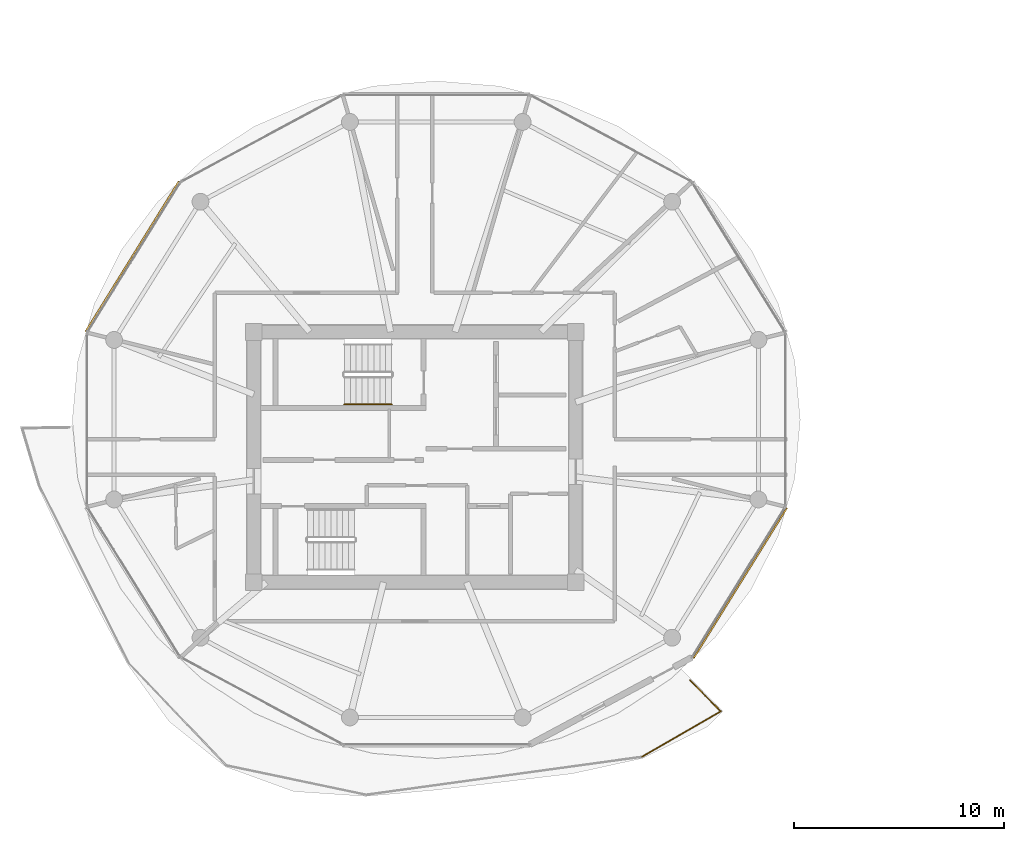
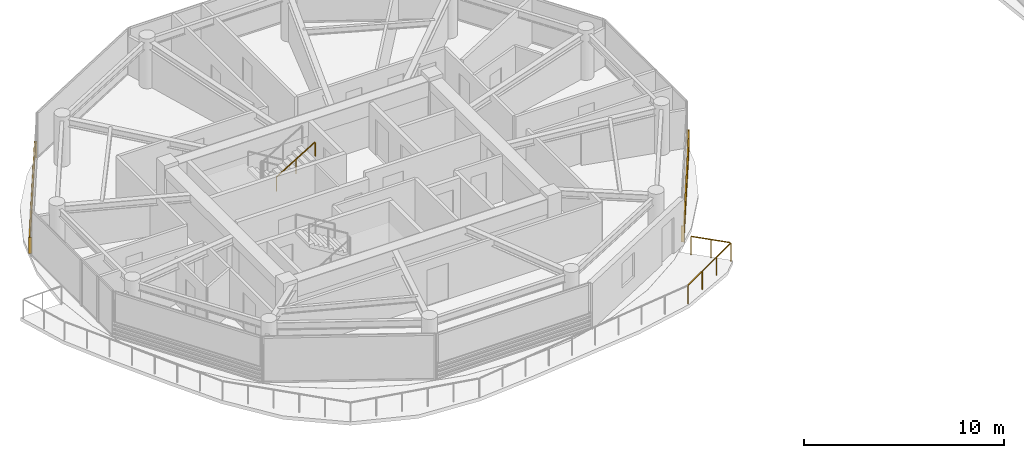
# One storey, part 19 of 23: 2 railings, 2 shading devices.
"""IFC4 building model written with IfcOpenShell, lengths in metres."""

from ifc_helpers import new_model, si_unit, direction, frame, origin, origin_2d, place, context, subcontext, project, spatial, rectangle, extrude, source, transform, mapped, material, type_object, type_shapes, element, save


model = new_model("IFC4")

# Units and contexts
model_context = context("Model", 3, precision=1e-05, world=origin(), true_north=direction((0.0, 1.0)))
body_context = subcontext(model_context, "Body", "Model", "MODEL_VIEW")
ifc_project = project(units=[si_unit("LENGTHUNIT", "METRE"), si_unit("AREAUNIT", "SQUARE_METRE"), si_unit("VOLUMEUNIT", "CUBIC_METRE"), si_unit("PLANEANGLEUNIT", "RADIAN"), si_unit("MASSUNIT", "GRAM", prefix="KILO")], contexts=[model_context])

# Site, building, storey
site_placement = place(None, origin())
site = spatial("IfcSite", under=ifc_project, at=site_placement, CompositionType="ELEMENT")
building_placement = place(site_placement, origin())
building = spatial("IfcBuilding", under=site, at=building_placement, Name="Norrkilde Senior Care Towers", CompositionType="ELEMENT")
storey_placement = place(building_placement, frame((0.0, 0.0, 173.949951171875)))
storey = spatial("IfcBuildingStorey", under=building, at=storey_placement, Name="L54", CompositionType="ELEMENT", Elevation=173.949951171875)

# Railings
ifc_material_1 = material(Name="Anodised Aluminium", Category="aluminium")
railing_type_1 = type_object("IfcRailingType", Name="Balcony Swirl Ribbon Guardrail 1150", PredefinedType="GUARDRAIL", material=ifc_material_1)
railing_1_placement = place(storey_placement, frame((-14.915283203125, -10.60498046875, 0.0)))
element("IfcRailing", 1, at=railing_1_placement, inside=storey, type_object=railing_type_1, Name="L54 Perimeter Safety Guard 04", PredefinedType="GUARDRAIL", context=body_context, shape_type="SweptSolid", body=[
    extrude(rectangle(XDim=0.048095703125, YDim=0.048095703125, at=origin_2d()), frame((0.0, 0.0, 1.1259765625), z_axis=(0.701026381437, -0.71313533956, 0.0), x_axis=(0.71313533956, 0.701026381437, 0.0)), (0.0, 0.0, 1.0), 2.035888671875),
    extrude(rectangle(XDim=0.048095703125, YDim=0.048095703125, at=origin_2d()), frame((1.42041015625, -1.50146484375, 1.1259765625), z_axis=(-0.866258123081, -0.499596701546, 0.0), x_axis=(0.499596701546, -0.866258123081, 0.0)), (0.0, 0.0, 1.0), 4.273193359375),
    extrude(rectangle(XDim=0.0419921875, YDim=0.0419921875, at=origin_2d()), origin(), (0.0, 0.0, 1.0), 1.099853515625),
    extrude(rectangle(XDim=0.0419921875, YDim=0.0419921875, at=origin_2d()), frame((0.72802734375, -0.740478515625, 0.0)), (0.0, 0.0, 1.0), 1.099853515625),
    extrude(rectangle(XDim=0.0419921875, YDim=0.0419921875, at=origin_2d()), frame((1.455810546875, -1.48095703125, 0.0)), (0.0, 0.0, 1.0), 1.099853515625),
    extrude(rectangle(XDim=0.0419921875, YDim=0.0419921875, at=origin_2d()), frame((0.210205078125, -2.199462890625, 0.0)), (0.0, 0.0, 1.0), 1.099853515625),
    extrude(rectangle(XDim=0.0419921875, YDim=0.0419921875, at=origin_2d()), frame((-1.03564453125, -2.917724609375, 0.0)), (0.0, 0.0, 1.0), 1.099853515625),
    extrude(rectangle(XDim=0.0419921875, YDim=0.0419921875, at=origin_2d()), frame((-2.28125, -3.63623046875, 0.0)), (0.0, 0.0, 1.0), 1.099853515625),
])
ifc_material_2 = material(Name="Nordic Ash Timber", Category="wood")
railing_type_2 = type_object("IfcRailingType", Name="Wall and Stair Handrail 900", PredefinedType="HANDRAIL", material=ifc_material_2)
railing_2_placement = place(storey_placement, frame((-31.340087890625, 2.5, 1.694580078125)))
element("IfcRailing", 2, at=railing_2_placement, inside=storey, type_object=railing_type_2, Name="L54 ST-W1 stair handrail 2", PredefinedType="HANDRAIL", context=body_context, shape_type="SweptSolid", body=[
    extrude(rectangle(XDim=0.048095703125, YDim=0.048095703125, at=origin_2d()), frame((0.0, 0.0, 0.8759765625), z_axis=(0.855553338991, 0.0, 0.51771467445), x_axis=(0.0, 1.0, 0.0)), (0.0, 0.0, 1.0), 2.6181640625),
    extrude(rectangle(XDim=0.0419921875, YDim=0.0419921875, at=origin_2d()), origin(), (0.0, 0.0, 1.0), 0.849853515625),
    extrude(rectangle(XDim=0.0419921875, YDim=0.0419921875, at=origin_2d()), frame((1.1201171875, 0.0, 0.677734375)), (0.0, 0.0, 1.0), 0.849853515625),
    extrude(rectangle(XDim=0.0419921875, YDim=0.0419921875, at=origin_2d()), frame((2.239990234375, 0.0, 1.35546875)), (0.0, 0.0, 1.0), 0.849853515625),
])

# Shading devices
ifc_material_3 = material(Name="Architectural Terracotta", Category="masonry")
shading_device_type = type_object("IfcShadingDeviceType", Name="Horizontal Terracotta Baguette Rack", PredefinedType="USERDEFINED", material=ifc_material_3)
shared_shape = source(origin(), body_context, "Body", "SweptSolid", [
    extrude(rectangle(XDim=0.070068359375, YDim=0.110107421875, at=origin_2d()), frame((0.0, 0.090087890625, 0.125), z_axis=(1.0, 0.0, 0.0), x_axis=(0.0, 1.0, 0.0)), (0.0, 0.0, 1.0), 8.431396484375),
    extrude(rectangle(XDim=0.070068359375, YDim=0.110107421875, at=origin_2d()), frame((0.0, 0.090087890625, 0.375), z_axis=(1.0, 0.0, 0.0), x_axis=(0.0, 1.0, 0.0)), (0.0, 0.0, 1.0), 8.431396484375),
    extrude(rectangle(XDim=0.070068359375, YDim=0.110107421875, at=origin_2d()), frame((0.0, 0.090087890625, 0.625), z_axis=(1.0, 0.0, 0.0), x_axis=(0.0, 1.0, 0.0)), (0.0, 0.0, 1.0), 8.431396484375),
    extrude(rectangle(XDim=0.070068359375, YDim=0.110107421875, at=origin_2d()), frame((0.0, 0.090087890625, 0.875), z_axis=(1.0, 0.0, 0.0), x_axis=(0.0, 1.0, 0.0)), (0.0, 0.0, 1.0), 8.431396484375),
    extrude(rectangle(XDim=0.050048828125, YDim=0.1552734375, at=origin_2d()), frame((0.02490234375, 0.047607421875, 0.0)), (0.0, 0.0, 1.0), 1.0),
    extrude(rectangle(XDim=0.050048828125, YDim=0.1552734375, at=origin_2d()), frame((8.40625, 0.047607421875, 0.0)), (0.0, 0.0, 1.0), 1.0),
])
type_shapes(shading_device_type, [shared_shape])
for number, where, z_axis, x_axis, name in (
    (3, (-43.569580078125, 5.911376953125, 0.080078125), (0.0, 0.0, 1.0), (0.527378022296, 0.849630809324, 0.0), "L54 Drum W Terracotta Baguette Screen 04"),
    (4, (-10.38037109375, -2.360595703125, 0.080078125), (0.0, 0.0, 1.0), (-0.527378022296, -0.849630809324, 0.0), "L54 Drum W Terracotta Baguette Screen 10"),
):
    element("IfcShadingDevice", number, at=place(storey_placement, frame(where, z_axis=z_axis, x_axis=x_axis)), inside=storey, type_object=shading_device_type, Name=name, ObjectType="BAGUETTE", PredefinedType="USERDEFINED", context=body_context, shape_type="MappedRepresentation", body=[
        mapped(shared_shape, transform((0.0, 0.0, 0.0), x_axis=(1.0, 0.0, 0.0), y_axis=(0.0, 1.0, 0.0), z_axis=(0.0, 0.0, 1.0), scale=1.0)),
    ])

save(model, "model.ifc")
